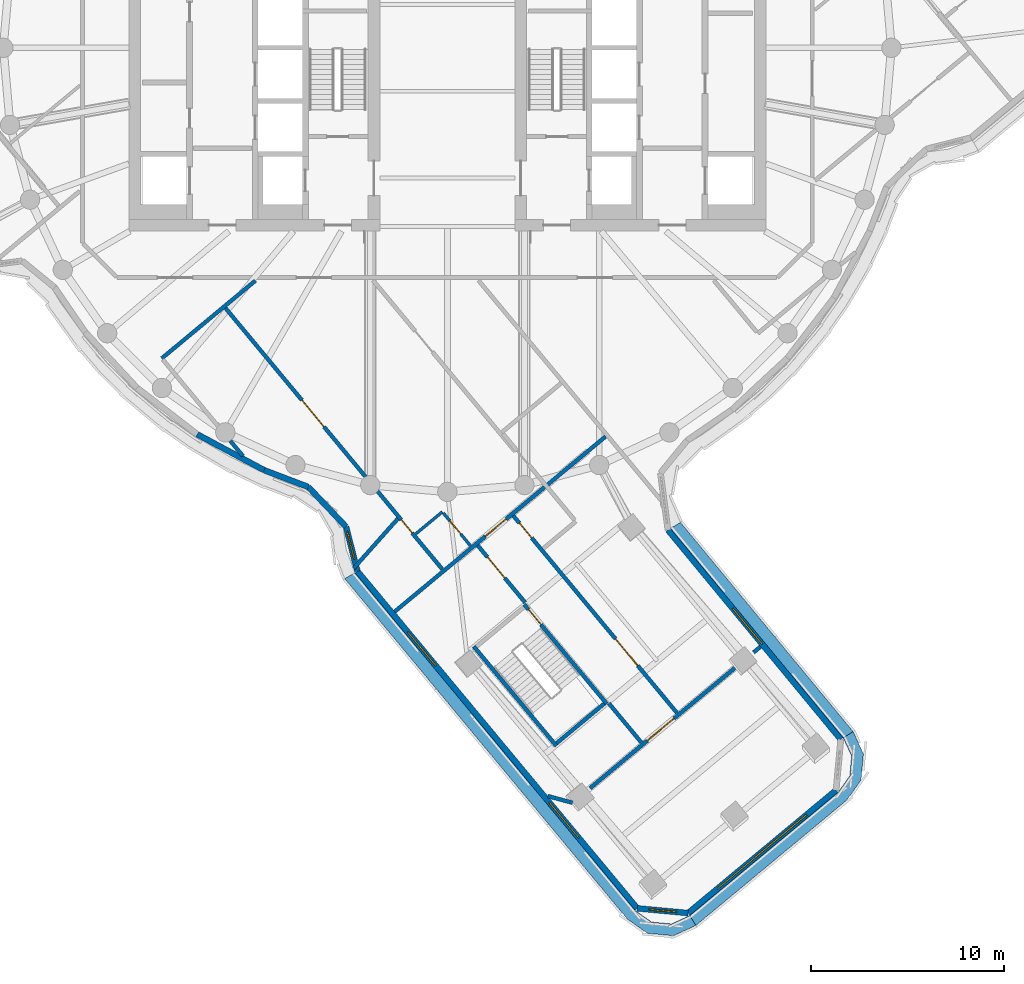
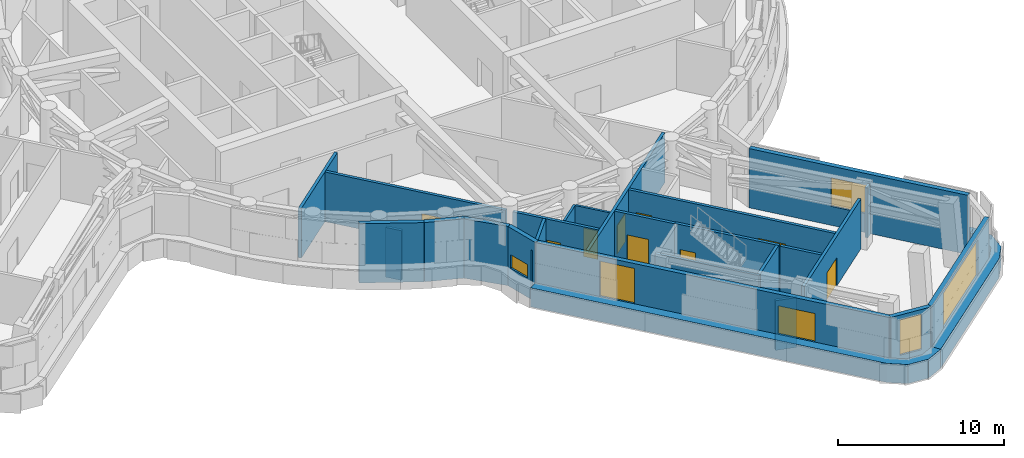
# One storey, part 7 of 22: 25 walls, 9 doors, 6 windows, 3 members, 15 openings.
"""IFC4 building model written with IfcOpenShell, lengths in metres."""

from ifc_helpers import new_model, si_unit, direction, frame, frame_2d, origin, place, context, subcontext, project, spatial, polyline, rectangle, outline, extrude, material, layer, layer_set, type_object, element, fill, aggregate, save


model = new_model("IFC4")

# Units and contexts
model_context = context("Model", 3, precision=1e-05, world=origin(), true_north=direction((0.0, 1.0)))
body_context = subcontext(model_context, "Body", "Model", "MODEL_VIEW")
ifc_project = project(units=[si_unit("LENGTHUNIT", "METRE"), si_unit("AREAUNIT", "SQUARE_METRE"), si_unit("VOLUMEUNIT", "CUBIC_METRE"), si_unit("PLANEANGLEUNIT", "RADIAN"), si_unit("MASSUNIT", "GRAM", prefix="KILO")], contexts=[model_context])

# Member
ifc_material_1 = material(Name="Aluminium and insulated spandrel panel", Category="aluminium")
member_type = type_object("IfcMemberType", Name="Floor-edge blade transom", PredefinedType="USERDEFINED", material=ifc_material_1)
site_placement = place(None, origin())
building_placement = place(site_placement, origin())
storey_placement = place(building_placement, frame((0.0, 0.0, 178.0)))
member_1_placement = place(storey_placement, origin())
member_1 = element("IfcMember", 1, at=member_1_placement, type_object=member_type, Name="CWT-L44-03", ObjectType="TRANSOM", PredefinedType="USERDEFINED", context=body_context, shape_type="SweptSolid", body=[
    extrude(outline(polyline([(-4.7900390625, -27.18896484375), (9.7353515625, -44.683349609375), (10.580322265625, -45.281494140625), (11.611083984375, -45.377197265625), (12.5517578125, -44.9443359375), (12.874267578125, -45.45654296875), (11.7158203125, -45.989501953125), (10.36474609375, -45.864013671875), (9.32421875, -45.12744140625), (-5.316650390625, -27.494140625), (-4.7900390625, -27.18896484375)])), origin(), (0.0, 0.0, 1.0), 1.39990234375),
])

member_2_placement = place(storey_placement, origin())
member_2 = element("IfcMember", 2, at=member_2_placement, type_object=member_type, Name="CWT-L44-04", ObjectType="TRANSOM", PredefinedType="USERDEFINED", context=body_context, shape_type="SweptSolid", body=[
    extrude(outline(polyline([(12.5517578125, -44.9443359375), (20.245361328125, -38.556396484375), (20.843505859375, -37.71142578125), (20.939208984375, -36.6806640625), (20.506591796875, -35.739990234375), (21.01904296875, -35.41845703125), (21.551513671875, -36.575927734375), (21.42626953125, -37.927001953125), (20.689453125, -38.967529296875), (12.874267578125, -45.45654296875), (12.5517578125, -44.9443359375)])), origin(), (0.0, 0.0, 1.0), 1.39990234375),
])

member_3_placement = place(storey_placement, origin())
member_3 = element("IfcMember", 3, at=member_3_placement, type_object=member_type, Name="CWT-L44-05", ObjectType="TRANSOM", PredefinedType="USERDEFINED", context=body_context, shape_type="SweptSolid", body=[
    extrude(outline(polyline([(20.506591796875, -35.739990234375), (11.555419921875, -24.895263671875), (12.072998046875, -24.57958984375), (21.01904296875, -35.41845703125), (20.506591796875, -35.739990234375)])), origin(), (0.0, 0.0, 1.0), 1.39990234375),
])

# Site, building, storey
site = spatial("IfcSite", under=ifc_project, at=site_placement, CompositionType="ELEMENT")
building = spatial("IfcBuilding", under=site, at=building_placement, Name="Tamarind Cross Interchange Tower", CompositionType="ELEMENT")
storey = spatial("IfcBuildingStorey", under=building, at=storey_placement, Name="L44", CompositionType="ELEMENT", Elevation=178.0)

# Wall, opening, door
ifc_material_2 = material(Name="Gypsum board partition on steel studs", Category="steel")
ifc_layer_1 = layer(ifc_material_2, 0.14990234375)
ifc_layer_set_1 = layer_set([ifc_layer_1], Name="Gypsum board partition on steel studs")
wall_type_1 = type_object("IfcWallType", Name="Partition 150 mm EI 120", PredefinedType="PARTITIONING", material=ifc_layer_set_1)
wall_1_placement = place(storey_placement, frame((-0.212158203125, -24.0927734375, 0.0), z_axis=(0.0, 0.0, 1.0), x_axis=(0.638647792323, -0.769499186069, 0.0)))
wall_1 = element("IfcWall", 4, at=wall_1_placement, inside=storey, type_object=wall_type_1, Name="Partition L44-016", PredefinedType="PARTITIONING", context=body_context, shape_type="SweptSolid", body=[
    extrude(rectangle(XDim=2.205322265625, YDim=0.14990234375, at=frame_2d((1.1025390625, 0.0))), origin(), (0.0, 0.0, 1.0), 3.659912109375),
])
opening_1_placement = place(wall_1_placement, frame((0.52490234375, 0.0, 0.0)))
opening_1 = element("IfcOpeningElement", 5, at=opening_1_placement, cuts=wall_1, Name="Opening D09", PredefinedType="OPENING", context=body_context, shape_type="SweptSolid", body=[
    extrude(rectangle(XDim=0.89990234375, YDim=2.10009765625, at=frame_2d((0.449951171875, 1.050048828125))), frame((0.0, 0.0849609375, 0.0), z_axis=(0.0, -1.0, 0.0), x_axis=(1.0, 0.0, 0.0)), (0.0, 0.0, 1.0), 0.169921875),
])
ifc_material_3 = material(Name="Fire-resisting door set")
door_type_1 = type_object("IfcDoorType", Name="Interior door 900 x 2100 FD60S", OperationType="SINGLE_SWING_LEFT", PredefinedType="DOOR", material=ifc_material_3)
door_1_placement = place(opening_1_placement, frame((0.89990234375, 0.0, 0.0), z_axis=(0.0, 0.0, 1.0), x_axis=(-1.0, 0.0, 0.0)))
door_1 = element("IfcDoor", 6, at=door_1_placement, inside=storey, type_object=door_type_1, Name="Door D09", OperationType="SINGLE_SWING_LEFT", OverallHeight=2.10009765625, OverallWidth=0.89990234375, PredefinedType="DOOR", context=body_context, shape_type="SweptSolid", body=[
    extrude(rectangle(XDim=0.89990234375, YDim=2.10009765625, at=frame_2d((0.449951171875, 1.050048828125))), frame((0.0, 0.02490234375, 0.0), z_axis=(0.0, -1.0, 0.0), x_axis=(1.0, 0.0, 0.0)), (0.0, 0.0, 1.0), 0.050048828125),
])
fill(opening_1, door_1)

# Walls
wall_2_placement = place(storey_placement, frame((-1.629638671875, -25.17236328125, 0.0), z_axis=(0.0, 0.0, 1.0), x_axis=(0.769299243982, 0.638888623478, 0.0)))
element("IfcWall", 7, at=wall_2_placement, inside=storey, type_object=wall_type_1, Name="Partition L44-053", PredefinedType="PARTITIONING", context=body_context, shape_type="SweptSolid", body=[
    extrude(rectangle(XDim=1.7802734375, YDim=0.14990234375, at=frame_2d((0.89013671875, 0.0))), origin(), (0.0, 0.0, 1.0), 3.659912109375),
])
ifc_layer_2 = layer(ifc_material_2, 0.199951171875)
ifc_layer_set_2 = layer_set([ifc_layer_2], Name="Gypsum board partition on steel studs")
wall_type_2 = type_object("IfcWallType", Name="Partition 200 mm EI 180", PredefinedType="PARTITIONING", material=ifc_layer_set_2)
wall_3_placement = place(storey_placement, frame((-11.2421875, -20.357421875, 0.0), z_axis=(0.0, 0.0, 1.0), x_axis=(0.638680728565, -0.769471849362, 0.0)))
element("IfcWall", 8, at=wall_3_placement, inside=storey, type_object=wall_type_2, Name="Partition L44-007", PredefinedType="PARTITIONING", context=body_context, shape_type="SweptSolid", body=[
    extrude(rectangle(XDim=1.02294921875, YDim=0.199951171875, at=frame_2d((0.511474609375, 0.0))), origin(), (0.0, 0.0, 1.0), 3.659912109375),
])

# Wall, opening, door
wall_4_placement = place(storey_placement, frame((-11.4951171875, -13.477783203125, 0.0), z_axis=(0.0, 0.0, 1.0), x_axis=(0.63879833348, -0.769374219182, 0.0)))
wall_4 = element("IfcWall", 9, at=wall_4_placement, inside=storey, type_object=wall_type_2, Name="Partition L44-009", PredefinedType="PARTITIONING", context=body_context, shape_type="SweptSolid", body=[
    extrude(rectangle(XDim=11.61669921875, YDim=0.199951171875, at=frame_2d((5.808349609375, 0.0))), origin(), (0.0, 0.0, 1.0), 3.659912109375),
])
opening_2_placement = place(wall_4_placement, frame((6.199951171875, 0.0, 0.0)))
opening_2 = element("IfcOpeningElement", 10, at=opening_2_placement, cuts=wall_4, Name="Opening D04", PredefinedType="OPENING", context=body_context, shape_type="SweptSolid", body=[
    extrude(rectangle(XDim=1.800048828125, YDim=2.10009765625, at=frame_2d((0.89990234375, 1.050048828125))), frame((0.0, 0.10986328125, 0.0), z_axis=(0.0, -1.0, 0.0), x_axis=(1.0, 0.0, 0.0)), (0.0, 0.0, 1.0), 0.219970703125),
])
door_type_2 = type_object("IfcDoorType", Name="Interior door 1800 x 2100 FD120S", OperationType="DOUBLE_DOOR_SINGLE_SWING", PredefinedType="DOOR", material=ifc_material_3)
door_2_placement = place(opening_2_placement, frame((1.800048828125, 0.0, 0.0), z_axis=(0.0, 0.0, 1.0), x_axis=(-1.0, 0.0, 0.0)))
door_2 = element("IfcDoor", 11, at=door_2_placement, inside=storey, type_object=door_type_2, Name="Door D04", OperationType="DOUBLE_DOOR_SINGLE_SWING", OverallHeight=2.10009765625, OverallWidth=1.800048828125, PredefinedType="DOOR", context=body_context, shape_type="SweptSolid", body=[
    extrude(rectangle(XDim=1.800048828125, YDim=2.10009765625, at=frame_2d((0.89990234375, 1.050048828125))), frame((0.0, 0.02490234375, 0.0), z_axis=(0.0, -1.0, 0.0), x_axis=(1.0, 0.0, 0.0)), (0.0, 0.0, 1.0), 0.050048828125),
])
fill(opening_2, door_2)

wall_5_placement = place(storey_placement, frame((-3.787109375, -22.761474609375, 0.0), z_axis=(0.0, 0.0, 1.0), x_axis=(0.638824610857, -0.769352400766, 0.0)))
wall_5 = element("IfcWall", 12, at=wall_5_placement, inside=storey, type_object=wall_type_2, Name="Partition L44-010", PredefinedType="PARTITIONING", context=body_context, shape_type="SweptSolid", body=[
    extrude(rectangle(XDim=5.513916015625, YDim=0.199951171875, at=frame_2d((2.7568359375, 0.0))), origin(), (0.0, 0.0, 1.0), 3.659912109375),
])
opening_3_placement = place(wall_5_placement, frame((2.18359375, 0.0, 0.0)))
opening_3 = element("IfcOpeningElement", 13, at=opening_3_placement, cuts=wall_5, Name="Opening D05", PredefinedType="OPENING", context=body_context, shape_type="SweptSolid", body=[
    extrude(rectangle(XDim=0.89990234375, YDim=2.10009765625, at=frame_2d((0.449951171875, 1.050048828125))), frame((0.0, 0.10986328125, 0.0), z_axis=(0.0, -1.0, 0.0), x_axis=(1.0, 0.0, 0.0)), (0.0, 0.0, 1.0), 0.219970703125),
])
door_type_3 = type_object("IfcDoorType", Name="Interior door 900 x 2100 FD120S", OperationType="SINGLE_SWING_LEFT", PredefinedType="DOOR", material=ifc_material_3)
door_3_placement = place(opening_3_placement, frame((0.89990234375, 0.0, 0.0), z_axis=(0.0, 0.0, 1.0), x_axis=(-1.0, 0.0, 0.0)))
door_3 = element("IfcDoor", 14, at=door_3_placement, inside=storey, type_object=door_type_3, Name="Door D05", OperationType="SINGLE_SWING_LEFT", OverallHeight=2.10009765625, OverallWidth=0.89990234375, PredefinedType="DOOR", context=body_context, shape_type="SweptSolid", body=[
    extrude(rectangle(XDim=0.89990234375, YDim=2.10009765625, at=frame_2d((0.449951171875, 1.050048828125))), frame((0.0, 0.02490234375, 0.0), z_axis=(0.0, -1.0, 0.0), x_axis=(1.0, 0.0, 0.0)), (0.0, 0.0, 1.0), 0.050048828125),
])
fill(opening_3, door_3)

wall_6_placement = place(storey_placement, frame((1.56787109375, -25.766845703125, 0.0), z_axis=(0.0, 0.0, 1.0), x_axis=(0.638770919857, -0.769396979423, 0.0)))
wall_6 = element("IfcWall", 15, at=wall_6_placement, inside=storey, type_object=wall_type_2, Name="Partition L44-020", PredefinedType="PARTITIONING", context=body_context, shape_type="SweptSolid", body=[
    extrude(rectangle(XDim=3.859375, YDim=0.199951171875, at=frame_2d((1.9296875, 0.0))), origin(), (0.0, 0.0, 1.0), 3.659912109375),
])
opening_4_placement = place(wall_6_placement, frame((0.800048828125, 0.0, 0.0)))
opening_4 = element("IfcOpeningElement", 16, at=opening_4_placement, cuts=wall_6, Name="Opening D11", PredefinedType="OPENING", context=body_context, shape_type="SweptSolid", body=[
    extrude(rectangle(XDim=1.39990234375, YDim=2.10009765625, at=frame_2d((0.699951171875, 1.050048828125))), frame((0.0, 0.10986328125, 0.0), z_axis=(0.0, -1.0, 0.0), x_axis=(1.0, 0.0, 0.0)), (0.0, 0.0, 1.0), 0.219970703125),
])
door_type_4 = type_object("IfcDoorType", Name="Interior door 1400 x 2100 FD120S", OperationType="DOUBLE_DOOR_SINGLE_SWING", PredefinedType="DOOR", material=ifc_material_3)
door_4_placement = place(opening_4_placement, frame((1.39990234375, 0.0, 0.0), z_axis=(0.0, 0.0, 1.0), x_axis=(-1.0, 0.0, 0.0)))
door_4 = element("IfcDoor", 17, at=door_4_placement, inside=storey, type_object=door_type_4, Name="Door D11", OperationType="DOUBLE_DOOR_SINGLE_SWING", OverallHeight=2.10009765625, OverallWidth=1.39990234375, PredefinedType="DOOR", context=body_context, shape_type="SweptSolid", body=[
    extrude(rectangle(XDim=1.39990234375, YDim=2.10009765625, at=frame_2d((0.699951171875, 1.050048828125))), frame((0.0, 0.02490234375, 0.0), z_axis=(0.0, -1.0, 0.0), x_axis=(1.0, 0.0, 0.0)), (0.0, 0.0, 1.0), 0.050048828125),
])
fill(opening_4, door_4)

# Wall
wall_7_placement = place(storey_placement, frame((8.364501953125, -33.953369140625, 0.0), z_axis=(0.0, 0.0, 1.0), x_axis=(0.638755375653, -0.76940988431, 0.0)))
element("IfcWall", 18, at=wall_7_placement, inside=storey, type_object=wall_type_2, Name="Partition L44-021", PredefinedType="PARTITIONING", context=body_context, shape_type="SweptSolid", body=[
    extrude(rectangle(XDim=2.640380859375, YDim=0.199951171875, at=frame_2d((1.3203125, 0.0))), origin(), (0.0, 0.0, 1.0), 3.659912109375),
])

# Wall, openings, doors
wall_8_placement = place(storey_placement, frame((3.414794921875, -24.23388671875, 0.0), z_axis=(0.0, 0.0, 1.0), x_axis=(0.638754759622, -0.769410395732, 0.0)))
wall_8 = element("IfcWall", 19, at=wall_8_placement, inside=storey, type_object=wall_type_2, Name="Partition L44-023", PredefinedType="PARTITIONING", context=body_context, shape_type="SweptSolid", body=[
    extrude(rectangle(XDim=13.280029296875, YDim=0.199951171875, at=frame_2d((6.64013671875, 0.0))), origin(), (0.0, 0.0, 1.0), 3.659912109375),
])
opening_5_placement = place(wall_8_placement, frame((0.5, 0.0, 0.0)))
opening_5 = element("IfcOpeningElement", 20, at=opening_5_placement, cuts=wall_8, Name="Opening D13", PredefinedType="OPENING", context=body_context, shape_type="SweptSolid", body=[
    extrude(rectangle(XDim=1.0, YDim=2.10009765625, at=frame_2d((0.5, 1.050048828125))), frame((0.0, 0.10986328125, 0.0), z_axis=(0.0, -1.0, 0.0), x_axis=(1.0, 0.0, 0.0)), (0.0, 0.0, 1.0), 0.219970703125),
])
opening_6_placement = place(wall_8_placement, frame((8.299560546875, 0.0, 0.0)))
opening_6 = element("IfcOpeningElement", 21, at=opening_6_placement, cuts=wall_8, Name="Opening D14", PredefinedType="OPENING", context=body_context, shape_type="SweptSolid", body=[
    extrude(rectangle(XDim=1.800048828125, YDim=2.10009765625, at=frame_2d((0.89990234375, 1.050048828125))), frame((0.0, 0.10986328125, 0.0), z_axis=(0.0, -1.0, 0.0), x_axis=(1.0, 0.0, 0.0)), (0.0, 0.0, 1.0), 0.219970703125),
])
door_type_5 = type_object("IfcDoorType", Name="Interior door 1000 x 2100 FD120S", OperationType="SINGLE_SWING_LEFT", PredefinedType="DOOR", material=ifc_material_3)
door_5_placement = place(opening_5_placement, origin())
door_5 = element("IfcDoor", 22, at=door_5_placement, inside=storey, type_object=door_type_5, Name="Door D13", OperationType="SINGLE_SWING_RIGHT", OverallHeight=2.10009765625, OverallWidth=1.0, PredefinedType="DOOR", context=body_context, shape_type="SweptSolid", body=[
    extrude(rectangle(XDim=1.0, YDim=2.10009765625, at=frame_2d((0.5, 1.050048828125))), frame((0.0, 0.02490234375, 0.0), z_axis=(0.0, -1.0, 0.0), x_axis=(1.0, 0.0, 0.0)), (0.0, 0.0, 1.0), 0.050048828125),
])
fill(opening_5, door_5)
door_6_placement = place(opening_6_placement, origin())
door_6 = element("IfcDoor", 23, at=door_6_placement, inside=storey, type_object=door_type_2, Name="Door D14", OperationType="DOUBLE_DOOR_SINGLE_SWING", OverallHeight=2.10009765625, OverallWidth=1.800048828125, PredefinedType="DOOR", context=body_context, shape_type="SweptSolid", body=[
    extrude(rectangle(XDim=1.800048828125, YDim=2.10009765625, at=frame_2d((0.89990234375, 1.050048828125))), frame((0.0, 0.02490234375, 0.0), z_axis=(0.0, -1.0, 0.0), x_axis=(1.0, 0.0, 0.0)), (0.0, 0.0, 1.0), 0.050048828125),
])
fill(opening_6, door_6)

# Walls
wall_9_placement = place(storey_placement, frame((-14.7900390625, -16.083984375, 0.0), z_axis=(0.0, 0.0, 1.0), x_axis=(0.769341590931, 0.638837629186, 0.0)))
element("IfcWall", 24, at=wall_9_placement, inside=storey, type_object=wall_type_2, Name="Partition L44-048", PredefinedType="PARTITIONING", context=body_context, shape_type="SweptSolid", body=[
    extrude(rectangle(XDim=6.298828125, YDim=0.199951171875, at=frame_2d((3.1494140625, 0.0))), origin(), (0.0, 0.0, 1.0), 3.659912109375),
])
wall_10_placement = place(storey_placement, frame((-4.851806640625, -26.95751953125, 0.0), z_axis=(0.0, 0.0, 1.0), x_axis=(0.665099515485, 0.746754735172, 0.0)))
element("IfcWall", 25, at=wall_10_placement, inside=storey, type_object=wall_type_2, Name="Partition L44-050", PredefinedType="PARTITIONING", context=body_context, shape_type="SweptSolid", body=[
    extrude(rectangle(XDim=3.4384765625, YDim=0.199951171875, at=frame_2d((1.71923828125, 0.0))), origin(), (0.0, 0.0, 1.0), 3.659912109375),
])

# Wall, opening, door
wall_11_placement = place(storey_placement, frame((-2.726318359375, -29.203369140625, 0.0), z_axis=(0.0, 0.0, 1.0), x_axis=(0.769278649811, 0.638913420539, 0.0)))
wall_11 = element("IfcWall", 26, at=wall_11_placement, inside=storey, type_object=wall_type_2, Name="Partition L44-052", PredefinedType="PARTITIONING", context=body_context, shape_type="SweptSolid", body=[
    extrude(rectangle(XDim=14.19921875, YDim=0.199951171875, at=frame_2d((7.099609375, 0.0))), origin(), (0.0, 0.0, 1.0), 3.659912109375),
])
opening_7_placement = place(wall_11_placement, frame((6.09912109375, 0.0, 0.0)))
opening_7 = element("IfcOpeningElement", 27, at=opening_7_placement, cuts=wall_11, Name="Opening D28", PredefinedType="OPENING", context=body_context, shape_type="SweptSolid", body=[
    extrude(rectangle(XDim=1.39990234375, YDim=2.10009765625, at=frame_2d((0.699951171875, 1.050048828125))), frame((0.0, 0.10986328125, 0.0), z_axis=(0.0, -1.0, 0.0), x_axis=(1.0, 0.0, 0.0)), (0.0, 0.0, 1.0), 0.219970703125),
])
door_7_placement = place(opening_7_placement, origin())
door_7 = element("IfcDoor", 28, at=door_7_placement, inside=storey, type_object=door_type_4, Name="Door D28", OperationType="DOUBLE_DOOR_SINGLE_SWING", OverallHeight=2.10009765625, OverallWidth=1.39990234375, PredefinedType="DOOR", context=body_context, shape_type="SweptSolid", body=[
    extrude(rectangle(XDim=1.39990234375, YDim=2.10009765625, at=frame_2d((0.699951171875, 1.050048828125))), frame((0.0, 0.02490234375, 0.0), z_axis=(0.0, -1.0, 0.0), x_axis=(1.0, 0.0, 0.0)), (0.0, 0.0, 1.0), 0.050048828125),
])
fill(opening_7, door_7)

# Wall
wall_12_placement = place(storey_placement, frame((5.205810546875, -38.7568359375, 0.0), z_axis=(0.0, 0.0, 1.0), x_axis=(0.96514190827, -0.261727142078, 0.0)))
element("IfcWall", 29, at=wall_12_placement, inside=storey, type_object=wall_type_2, Name="Partition L44-055", PredefinedType="PARTITIONING", context=body_context, shape_type="SweptSolid", body=[
    extrude(rectangle(XDim=1.32275390625, YDim=0.199951171875, at=frame_2d((0.661376953125, 0.0))), origin(), (0.0, 0.0, 1.0), 3.659912109375),
])

# Wall, opening, door
wall_13_placement = place(storey_placement, frame((7.392822265625, -38.34716796875, 0.0), z_axis=(0.0, 0.0, 1.0), x_axis=(0.769364720114, 0.638809774068, 0.0)))
wall_13 = element("IfcWall", 30, at=wall_13_placement, inside=storey, type_object=wall_type_2, Name="Partition L44-056", PredefinedType="PARTITIONING", context=body_context, shape_type="SweptSolid", body=[
    extrude(rectangle(XDim=9.8251953125, YDim=0.199951171875, at=frame_2d((4.91259765625, 0.0))), origin(), (0.0, 0.0, 1.0), 3.659912109375),
])
opening_8_placement = place(wall_13_placement, frame((3.8544921875, 0.0, 0.0)))
opening_8 = element("IfcOpeningElement", 31, at=opening_8_placement, cuts=wall_13, Name="Opening D29", PredefinedType="OPENING", context=body_context, shape_type="SweptSolid", body=[
    extrude(rectangle(XDim=1.800048828125, YDim=2.10009765625, at=frame_2d((0.89990234375, 1.050048828125))), frame((0.0, 0.10986328125, 0.0), z_axis=(0.0, -1.0, 0.0), x_axis=(1.0, 0.0, 0.0)), (0.0, 0.0, 1.0), 0.219970703125),
])
door_8_placement = place(opening_8_placement, frame((1.800048828125, 0.0, 0.0), z_axis=(0.0, 0.0, 1.0), x_axis=(-1.0, 0.0, 0.0)))
door_8 = element("IfcDoor", 32, at=door_8_placement, inside=storey, type_object=door_type_2, Name="Door D29", OperationType="DOUBLE_DOOR_SINGLE_SWING", OverallHeight=2.10009765625, OverallWidth=1.800048828125, PredefinedType="DOOR", context=body_context, shape_type="SweptSolid", body=[
    extrude(rectangle(XDim=1.800048828125, YDim=2.10009765625, at=frame_2d((0.89990234375, 1.050048828125))), frame((0.0, 0.02490234375, 0.0), z_axis=(0.0, -1.0, 0.0), x_axis=(1.0, 0.0, 0.0)), (0.0, 0.0, 1.0), 0.050048828125),
])
fill(opening_8, door_8)

# Walls
wall_14_placement = place(storey_placement, frame((15.8623046875, -31.31494140625, 0.0), z_axis=(0.0, 0.0, 1.0), x_axis=(0.769341564871, 0.63883766057, 0.0)))
element("IfcWall", 33, at=wall_14_placement, inside=storey, type_object=wall_type_2, Name="Partition L44-057", PredefinedType="PARTITIONING", context=body_context, shape_type="SweptSolid", body=[
    extrude(rectangle(XDim=0.4638671875, YDim=0.199951171875, at=frame_2d((0.23193359375, 0.0))), origin(), (0.0, 0.0, 1.0), 3.659912109375),
])
ifc_material_4 = material(Name="Precast concrete C40", Category="concrete")
ifc_layer_3 = layer(ifc_material_4, 0.300048828125)
ifc_layer_set_3 = layer_set([ifc_layer_3], Name="Precast concrete C40")
wall_type_3 = type_object("IfcWallType", Name="Plant louvre wall", PredefinedType="SOLIDWALL", material=ifc_layer_set_3)
wall_15_placement = place(storey_placement, frame((-12.956298828125, -20.018798828125, 0.0), z_axis=(0.0, 0.0, 1.0), x_axis=(0.881502086513, -0.472180126088, 0.0)))
element("IfcWall", 34, at=wall_15_placement, inside=storey, type_object=wall_type_3, Name="EXW-L44-02-05", PredefinedType="SOLIDWALL", context=body_context, shape_type="SweptSolid", body=[
    extrude(rectangle(XDim=3.9384765625, YDim=0.300048828125, at=frame_2d((1.96923828125, 0.0))), origin(), (0.0, 0.0, 1.0), 4.360107421875),
])
wall_16_placement = place(storey_placement, frame((-9.484619140625, -21.87841796875, 0.0), z_axis=(0.0, 0.0, 1.0), x_axis=(0.934589006156, -0.355729376875, 0.0)))
element("IfcWall", 35, at=wall_16_placement, inside=storey, type_object=wall_type_3, Name="EXW-L44-02-06", PredefinedType="SOLIDWALL", context=body_context, shape_type="SweptSolid", body=[
    extrude(rectangle(XDim=2.443359375, YDim=0.300048828125, at=frame_2d((1.2216796875, 0.0))), origin(), (0.0, 0.0, 1.0), 4.360107421875),
])
wall_17_placement = place(storey_placement, frame((-7.201171875, -22.74755859375, 0.0), z_axis=(0.0, 0.0, 1.0), x_axis=(0.68820939497, -0.725512114768, 0.0)))
element("IfcWall", 36, at=wall_17_placement, inside=storey, type_object=wall_type_3, Name="EXW-L44-02-07", PredefinedType="SOLIDWALL", context=body_context, shape_type="SweptSolid", body=[
    extrude(rectangle(XDim=2.840576171875, YDim=0.300048828125, at=frame_2d((1.42041015625, 0.0))), origin(), (0.0, 0.0, 1.0), 4.360107421875),
])

# Wall, opening, window
wall_18_placement = place(storey_placement, frame((-5.246337890625, -24.808349609375, 0.0), z_axis=(0.0, 0.0, 1.0), x_axis=(0.247219185913, -0.968959583325, 0.0)))
wall_18 = element("IfcWall", 37, at=wall_18_placement, inside=storey, type_object=wall_type_3, Name="EXW-L44-02-08", PredefinedType="SOLIDWALL", context=body_context, shape_type="SweptSolid", body=[
    extrude(rectangle(XDim=2.3779296875, YDim=0.300048828125, at=frame_2d((1.18896484375, 0.0))), origin(), (0.0, 0.0, 1.0), 4.360107421875),
])
opening_9_placement = place(wall_18_placement, frame((0.25, 0.0, 1.39990234375)))
opening_9 = element("IfcOpeningElement", 38, at=opening_9_placement, cuts=wall_18, Name="Opening W5", PredefinedType="OPENING", context=body_context, shape_type="SweptSolid", body=[
    extrude(rectangle(XDim=1.5, YDim=1.0, at=frame_2d((0.75, 0.5))), frame((0.0, 0.159912109375, 0.0), z_axis=(0.0, -1.0, 0.0), x_axis=(1.0, 0.0, 0.0)), (0.0, 0.0, 1.0), 0.320068359375),
])
ifc_material_5 = material(Name="Aluminium and fire-resisting glass", Category="aluminium")
window_type_1 = type_object("IfcWindowType", Name="Refuge opening window", PartitioningType="DOUBLE_PANEL_VERTICAL", PredefinedType="WINDOW", material=ifc_material_5)
window_1_placement = place(opening_9_placement, origin())
window_1 = element("IfcWindow", 39, at=window_1_placement, inside=storey, type_object=window_type_1, Name="RSW-L44-02-06", OverallHeight=1.0, OverallWidth=1.5, PartitioningType="SINGLE_PANEL", PredefinedType="WINDOW", context=body_context, shape_type="SweptSolid", body=[
    extrude(rectangle(XDim=1.5, YDim=1.0, at=frame_2d((0.75, 0.5))), frame((0.0, 0.030029296875, 0.0), z_axis=(0.0, -1.0, 0.0), x_axis=(1.0, 0.0, 0.0)), (0.0, 0.0, 1.0), 0.06005859375),
])
fill(opening_9, window_1)

# Wall, openings, windows
wall_19_placement = place(storey_placement, frame((-4.658447265625, -27.112548828125, 0.0), z_axis=(0.0, 0.0, 1.0), x_axis=(0.6388003164, -0.769372572794, 0.0)))
wall_19 = element("IfcWall", 40, at=wall_19_placement, inside=storey, type_object=wall_type_3, Name="EXW-L44-03-00", PredefinedType="SOLIDWALL", context=body_context, shape_type="SweptSolid", body=[
    extrude(rectangle(XDim=22.693359375, YDim=0.300048828125, at=frame_2d((11.3466796875, 0.0))), origin(), (0.0, 0.0, 1.0), 4.360107421875),
])
opening_10_placement = place(wall_19_placement, frame((4.0927734375, 0.0, 1.39990234375)))
opening_10 = element("IfcOpeningElement", 41, at=opening_10_placement, cuts=wall_19, Name="Opening W2", PredefinedType="OPENING", context=body_context, shape_type="SweptSolid", body=[
    extrude(rectangle(XDim=2.260986328125, YDim=2.60009765625, at=frame_2d((1.13037109375, 1.300048828125))), frame((0.0, 0.159912109375, 0.0), z_axis=(0.0, -1.0, 0.0), x_axis=(1.0, 0.0, 0.0)), (0.0, 0.0, 1.0), 0.320068359375),
])
opening_11_placement = place(wall_19_placement, frame((15.550048828125, 0.0, 1.39990234375)))
opening_11 = element("IfcOpeningElement", 42, at=opening_11_placement, cuts=wall_19, Name="Opening W3", PredefinedType="OPENING", context=body_context, shape_type="SweptSolid", body=[
    extrude(rectangle(XDim=2.39990234375, YDim=2.10009765625, at=frame_2d((1.199951171875, 1.050048828125))), frame((0.0, 0.159912109375, 0.0), z_axis=(0.0, -1.0, 0.0), x_axis=(1.0, 0.0, 0.0)), (0.0, 0.0, 1.0), 0.320068359375),
])
ifc_material_6 = material(Name="Aluminium louvre", Category="aluminium")
window_type_2 = type_object("IfcWindowType", Name="Plant louvre bank", PartitioningType="SINGLE_PANEL", PredefinedType="WINDOW", material=ifc_material_6)
window_2_placement = place(opening_10_placement, origin())
window_2 = element("IfcWindow", 43, at=window_2_placement, inside=storey, type_object=window_type_2, Name="WIN-L44-03-00", OverallHeight=2.60009765625, OverallWidth=2.260986328125, PartitioningType="SINGLE_PANEL", PredefinedType="WINDOW", context=body_context, shape_type="SweptSolid", body=[
    extrude(rectangle(XDim=2.260986328125, YDim=2.60009765625, at=frame_2d((1.13037109375, 1.300048828125))), frame((0.0, 0.030029296875, 0.0), z_axis=(0.0, -1.0, 0.0), x_axis=(1.0, 0.0, 0.0)), (0.0, 0.0, 1.0), 0.06005859375),
])
fill(opening_10, window_2)
window_type_3 = type_object("IfcWindowType", Name="Refuge rescue window", PartitioningType="DOUBLE_PANEL_VERTICAL", PredefinedType="WINDOW", material=ifc_material_5)
window_3_placement = place(opening_11_placement, origin())
window_3 = element("IfcWindow", 44, at=window_3_placement, inside=storey, type_object=window_type_3, Name="RSW-L44-03-06", OverallHeight=2.10009765625, OverallWidth=2.39990234375, PartitioningType="SINGLE_PANEL", PredefinedType="WINDOW", context=body_context, shape_type="SweptSolid", body=[
    extrude(rectangle(XDim=2.39990234375, YDim=2.10009765625, at=frame_2d((1.199951171875, 1.050048828125))), frame((0.0, 0.030029296875, 0.0), z_axis=(0.0, -1.0, 0.0), x_axis=(1.0, 0.0, 0.0)), (0.0, 0.0, 1.0), 0.06005859375),
])
fill(opening_11, window_3)

aggregate(wall_19, [member_1])

# Wall, opening, window
wall_20_placement = place(storey_placement, frame((9.838134765625, -44.572265625, 0.0), z_axis=(0.0, 0.0, 1.0), x_axis=(0.995728106664, -0.092333837784, 0.0)))
wall_20 = element("IfcWall", 45, at=wall_20_placement, inside=storey, type_object=wall_type_3, Name="EXW-L44-03-01", PredefinedType="SOLIDWALL", context=body_context, shape_type="SweptSolid", body=[
    extrude(rectangle(XDim=2.64404296875, YDim=0.300048828125, at=frame_2d((1.322021484375, 0.0))), origin(), (0.0, 0.0, 1.0), 4.360107421875),
])
opening_12_placement = place(wall_20_placement, frame((0.60009765625, 0.0, 1.39990234375)))
opening_12 = element("IfcOpeningElement", 46, at=opening_12_placement, cuts=wall_20, Name="Opening W2", PredefinedType="OPENING", context=body_context, shape_type="SweptSolid", body=[
    extrude(rectangle(XDim=1.4443359375, YDim=2.60009765625, at=frame_2d((0.72216796875, 1.300048828125))), frame((0.0, 0.159912109375, 0.0), z_axis=(0.0, -1.0, 0.0), x_axis=(1.0, 0.0, 0.0)), (0.0, 0.0, 1.0), 0.320068359375),
])
window_4_placement = place(opening_12_placement, origin())
window_4 = element("IfcWindow", 47, at=window_4_placement, inside=storey, type_object=window_type_2, Name="WIN-L44-03-01", OverallHeight=2.60009765625, OverallWidth=1.4443359375, PartitioningType="SINGLE_PANEL", PredefinedType="WINDOW", context=body_context, shape_type="SweptSolid", body=[
    extrude(rectangle(XDim=1.4443359375, YDim=2.60009765625, at=frame_2d((0.72216796875, 1.300048828125))), frame((0.0, 0.030029296875, 0.0), z_axis=(0.0, -1.0, 0.0), x_axis=(1.0, 0.0, 0.0)), (0.0, 0.0, 1.0), 0.06005859375),
])
fill(opening_12, window_4)

wall_21_placement = place(storey_placement, frame((12.470947265625, -44.81640625, 0.0), z_axis=(0.0, 0.0, 1.0), x_axis=(0.769371244083, 0.638801916699, 0.0)))
wall_21 = element("IfcWall", 48, at=wall_21_placement, inside=storey, type_object=wall_type_3, Name="EXW-L44-04-00", PredefinedType="SOLIDWALL", context=body_context, shape_type="SweptSolid", body=[
    extrude(rectangle(XDim=9.96044921875, YDim=0.300048828125, at=frame_2d((4.980224609375, 0.0))), origin(), (0.0, 0.0, 1.0), 4.360107421875),
])
opening_13_placement = place(wall_21_placement, frame((1.980224609375, 0.0, 1.39990234375)))
opening_13 = element("IfcOpeningElement", 49, at=opening_13_placement, cuts=wall_21, Name="Opening W2", PredefinedType="OPENING", context=body_context, shape_type="SweptSolid", body=[
    extrude(rectangle(XDim=6.0, YDim=2.60009765625, at=frame_2d((3.0, 1.300048828125))), frame((0.0, 0.159912109375, 0.0), z_axis=(0.0, -1.0, 0.0), x_axis=(1.0, 0.0, 0.0)), (0.0, 0.0, 1.0), 0.320068359375),
])
window_5_placement = place(opening_13_placement, origin())
window_5 = element("IfcWindow", 50, at=window_5_placement, inside=storey, type_object=window_type_2, Name="WIN-L44-04-00", OverallHeight=2.60009765625, OverallWidth=6.0, PartitioningType="SINGLE_PANEL", PredefinedType="WINDOW", context=body_context, shape_type="SweptSolid", body=[
    extrude(rectangle(XDim=6.0, YDim=2.60009765625, at=frame_2d((3.0, 1.300048828125))), frame((0.0, 0.030029296875, 0.0), z_axis=(0.0, -1.0, 0.0), x_axis=(1.0, 0.0, 0.0)), (0.0, 0.0, 1.0), 0.06005859375),
])
fill(opening_13, window_5)

aggregate(wall_21, [member_2])

wall_22_placement = place(storey_placement, frame((20.37841796875, -35.820556640625, 0.0), z_axis=(0.0, 0.0, 1.0), x_axis=(-0.63655569464, 0.771230735656, 0.0)))
wall_22 = element("IfcWall", 51, at=wall_22_placement, inside=storey, type_object=wall_type_3, Name="EXW-L44-05-00", PredefinedType="SOLIDWALL", context=body_context, shape_type="SweptSolid", body=[
    extrude(rectangle(XDim=14.063720703125, YDim=0.300048828125, at=frame_2d((7.03173828125, 0.0))), origin(), (0.0, 0.0, 1.0), 4.360107421875),
])
opening_14_placement = place(wall_22_placement, frame((6.39990234375, 0.0, 1.39990234375)))
opening_14 = element("IfcOpeningElement", 52, at=opening_14_placement, cuts=wall_22, Name="Opening W3", PredefinedType="OPENING", context=body_context, shape_type="SweptSolid", body=[
    extrude(rectangle(XDim=2.39990234375, YDim=2.10009765625, at=frame_2d((1.199951171875, 1.050048828125))), frame((0.0, 0.159912109375, 0.0), z_axis=(0.0, -1.0, 0.0), x_axis=(1.0, 0.0, 0.0)), (0.0, 0.0, 1.0), 0.320068359375),
])
window_6_placement = place(opening_14_placement, origin())
window_6 = element("IfcWindow", 53, at=window_6_placement, inside=storey, type_object=window_type_3, Name="RSW-L44-05-06", OverallHeight=2.10009765625, OverallWidth=2.39990234375, PartitioningType="SINGLE_PANEL", PredefinedType="WINDOW", context=body_context, shape_type="SweptSolid", body=[
    extrude(rectangle(XDim=2.39990234375, YDim=2.10009765625, at=frame_2d((1.199951171875, 1.050048828125))), frame((0.0, 0.030029296875, 0.0), z_axis=(0.0, -1.0, 0.0), x_axis=(1.0, 0.0, 0.0)), (0.0, 0.0, 1.0), 0.06005859375),
])
fill(opening_14, window_6)

aggregate(wall_22, [member_3])

# Wall, opening, door
ifc_material_7 = material(Name="Concrete C40", Category="concrete")
ifc_layer_4 = layer(ifc_material_7, 0.199951171875)
ifc_layer_set_4 = layer_set([ifc_layer_4], Name="Concrete C40")
wall_type_4 = type_object("IfcWallType", Name="Stair shaft wall 200 mm Concrete C40", PredefinedType="SHEAR", material=ifc_layer_set_4)
wall_23_placement = place(storey_placement, frame((3.982421875, -28.83154296875, -0.179931640625), z_axis=(0.0, 0.0, 1.0), x_axis=(0.638807064196, -0.769366970134, 0.0)))
wall_23 = element("IfcWall", 54, at=wall_23_placement, inside=storey, type_object=wall_type_4, Name="Core wall CWL-L44-ST6-H", PredefinedType="SHEAR", context=body_context, shape_type="SweptSolid", body=[
    extrude(rectangle(XDim=6.699951171875, YDim=0.199951171875, at=frame_2d((3.35009765625, 0.0))), origin(), (0.0, 0.0, 1.0), 3.94384765625),
])
opening_15_placement = place(wall_23_placement, frame((0.35009765625, 0.0, 0.0)))
opening_15 = element("IfcOpeningElement", 55, at=opening_15_placement, cuts=wall_23, Name="Opening ST6L44", PredefinedType="OPENING", context=body_context, shape_type="SweptSolid", body=[
    extrude(rectangle(XDim=1.0, YDim=2.10009765625, at=frame_2d((0.5, 1.050048828125))), frame((0.0, 0.10986328125, 0.0), z_axis=(0.0, -1.0, 0.0), x_axis=(1.0, 0.0, 0.0)), (0.0, 0.0, 1.0), 0.219970703125),
])
ifc_material_8 = material(Name="Steel, fire-resisting", Category="steel")
door_type_6 = type_object("IfcDoorType", Name="Core fire door 1000 x 2100 FD90", OperationType="SINGLE_SWING_LEFT", PredefinedType="DOOR", material=ifc_material_8)
door_9_placement = place(opening_15_placement, origin())
door_9 = element("IfcDoor", 56, at=door_9_placement, inside=storey, type_object=door_type_6, Name="L44 stair door ST6", OperationType="SINGLE_SWING_LEFT", OverallHeight=2.10009765625, OverallWidth=1.0, PredefinedType="DOOR", context=body_context, shape_type="SweptSolid", body=[
    extrude(rectangle(XDim=1.0, YDim=2.10009765625, at=frame_2d((0.5, 1.050048828125))), frame((0.0, 0.02490234375, 0.0), z_axis=(0.0, -1.0, 0.0), x_axis=(1.0, 0.0, 0.0)), (0.0, 0.0, 1.0), 0.050048828125),
])
fill(opening_15, door_9)

# Walls
wall_24_placement = place(storey_placement, frame((1.36669921875, -31.00341796875, -0.179931640625), z_axis=(0.0, 0.0, 1.0), x_axis=(0.638785494438, -0.76938487904, 0.0)))
element("IfcWall", 57, at=wall_24_placement, inside=storey, type_object=wall_type_4, Name="Core wall CWL-L44-ST6-C", PredefinedType="SHEAR", context=body_context, shape_type="SweptSolid", body=[
    extrude(rectangle(XDim=6.699951171875, YDim=0.199951171875, at=frame_2d((3.35009765625, 0.0))), origin(), (0.0, 0.0, 1.0), 3.94384765625),
])
wall_25_placement = place(storey_placement, frame((0.0, 0.0, -0.179931640625)))
element("IfcWall", 58, at=wall_25_placement, inside=storey, type_object=wall_type_4, Name="Core wall CWL-L44-ST6-CF", PredefinedType="SHEAR", context=body_context, shape_type="SweptSolid", body=[
    extrude(outline(polyline([(5.595703125, -35.9404296875), (5.723388671875, -36.094482421875), (8.185546875, -34.05029296875), (8.0576171875, -33.896484375), (5.595703125, -35.9404296875)])), origin(), (0.0, 0.0, 1.0), 3.94384765625),
])

save(model, "model.ifc")
